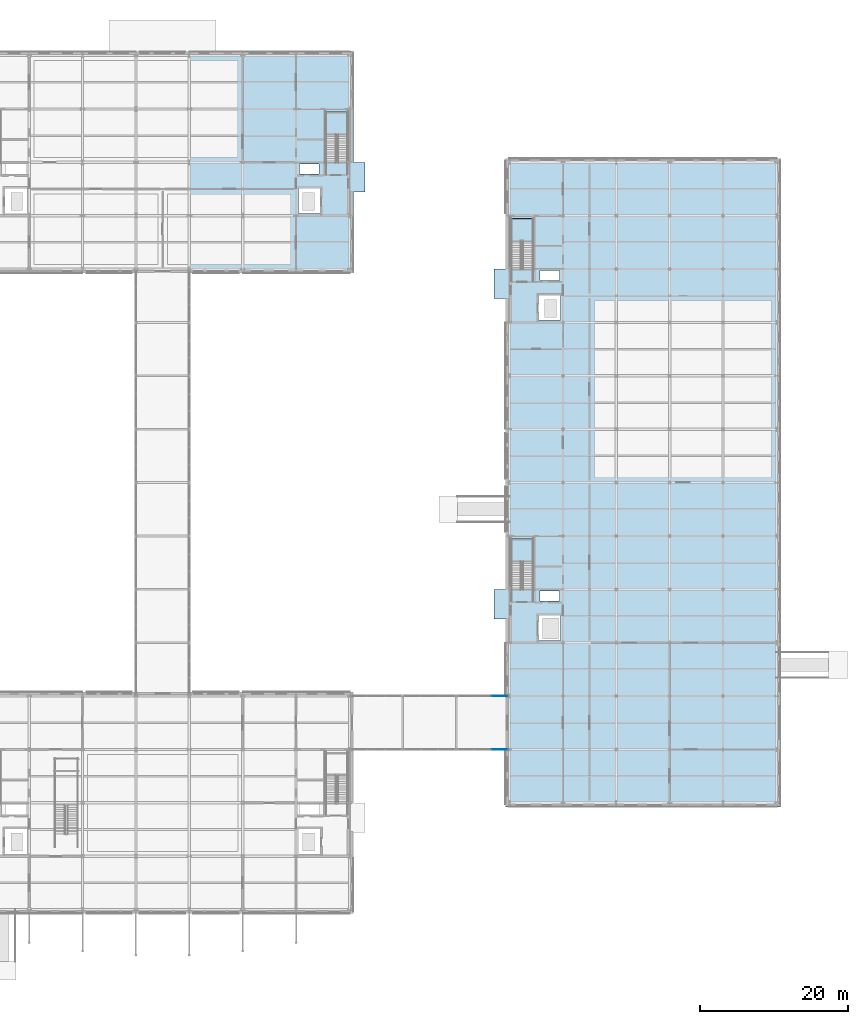
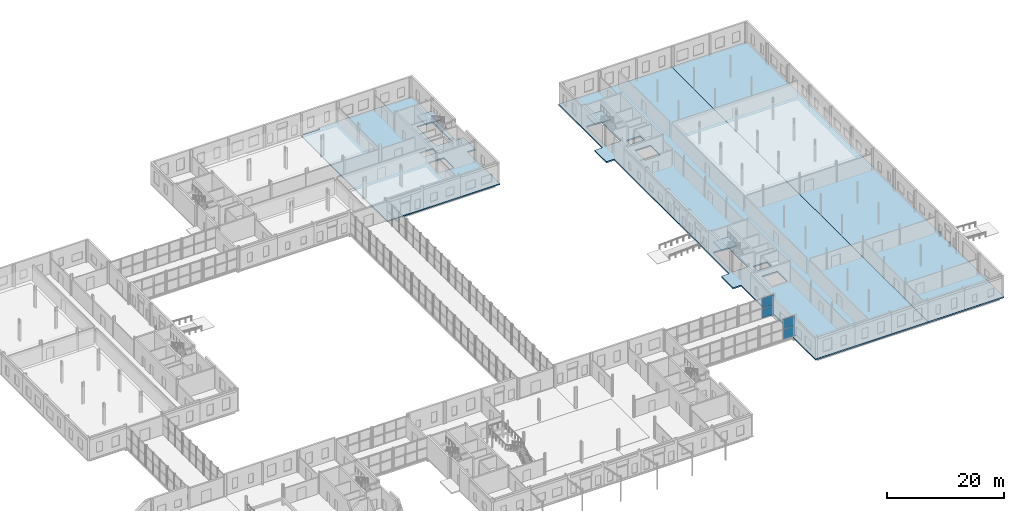
# One storey, part 47 of 92: 6 slabs, 4 plates, 5 elements without a shape of their own.
"""IFC4 building model written with IfcOpenShell, lengths in metres."""

from ifc_helpers import new_model, si_unit, direction, frame, origin, origin_2d, place, context, subcontext, project, spatial, polyline, rectangle, outline, extrude, material, layer, layer_set, type_object, element, aggregate, save


model = new_model("IFC4")

# Units and contexts
model_context = context("Model", 3, precision=1e-05, world=origin(), true_north=direction((0.0, 1.0)))
body_context = subcontext(model_context, "Body", "Model", "MODEL_VIEW")
ifc_project = project(units=[si_unit("LENGTHUNIT", "METRE"), si_unit("AREAUNIT", "SQUARE_METRE"), si_unit("VOLUMEUNIT", "CUBIC_METRE"), si_unit("PLANEANGLEUNIT", "RADIAN"), si_unit("MASSUNIT", "GRAM", prefix="KILO")], contexts=[model_context])

# Site, building, storey
site_placement = place(None, origin())
site = spatial("IfcSite", under=ifc_project, at=site_placement, CompositionType="ELEMENT")
building_placement = place(site_placement, origin())
building = spatial("IfcBuilding", under=site, at=building_placement, Name="Zlatovets Crest Museum", CompositionType="ELEMENT")
storey_placement = place(building_placement, origin())
storey = spatial("IfcBuildingStorey", under=building, at=storey_placement, Name="L00", CompositionType="ELEMENT", Elevation=0.0)

# Curtain wall, plates
ifc_material_1 = material(Name="Bronze-anodised aluminium and low-E triple glass", Category="aluminium")
curtain_wall_type = type_object("IfcCurtainWallType", Name="CW_CW-BR4-L00-S69", PredefinedType="NOTDEFINED", material=ifc_material_1)
curtain_wall_1_placement = place(storey_placement, origin())
curtain_wall_1 = element("IfcCurtainWall", 1, at=curtain_wall_1_placement, inside=storey, type_object=curtain_wall_type, Name="Southeast Archive Glazed Link Bridge L00 Glazed Bridge Curtain Wall", PredefinedType="NOTDEFINED")
ifc_material_2 = material(Name="Solar-control low-E laminated triple glass", Category="glass")
ifc_layer_1 = layer(ifc_material_2, 0.030029296875)
ifc_layer_set_1 = layer_set([ifc_layer_1], Name="Solar-control low-E laminated triple glass")
plate_type = type_object("IfcPlateType", Name="CWPanel_CW-BR4-L00-S69", PredefinedType="CURTAIN_PANEL", material=ifc_layer_set_1)
plate_1_placement = place(storey_placement, frame((128.284912109375, 21.60009765625, 0.06005859375), z_axis=(0.0, 0.0, 1.0), x_axis=(1.0, 0.0, 0.0)))
plate_1 = element("IfcPlate", 2, at=plate_1_placement, type_object=plate_type, Name="CW-BR4-L00-S69 panel 3.1", PredefinedType="CURTAIN_PANEL", context=body_context, shape_type="SweptSolid", body=[
    extrude(rectangle(XDim=2.2099609375, YDim=0.030029296875, at=origin_2d()), origin(), (0.0, 0.0, 1.0), 2.050048828125),
])
plate_2_placement = place(storey_placement, frame((128.284912109375, 21.60009765625, 2.169921875), z_axis=(0.0, 0.0, 1.0), x_axis=(1.0, 0.0, 0.0)))
plate_2 = element("IfcPlate", 3, at=plate_2_placement, type_object=plate_type, Name="CW-BR4-L00-S69 panel 3.2", PredefinedType="CURTAIN_PANEL", context=body_context, shape_type="SweptSolid", body=[
    extrude(rectangle(XDim=2.2099609375, YDim=0.030029296875, at=origin_2d()), origin(), (0.0, 0.0, 1.0), 2.050048828125),
])
aggregate(curtain_wall_1, [plate_1, plate_2])

curtain_wall_2_placement = place(storey_placement, origin())
curtain_wall_2 = element("IfcCurtainWall", 4, at=curtain_wall_2_placement, inside=storey, type_object=curtain_wall_type, Name="Southeast Archive Glazed Link Bridge L00 Glazed Bridge Curtain Wall", PredefinedType="NOTDEFINED")
plate_3_placement = place(storey_placement, frame((128.284912109375, 28.800048828125, 0.06005859375), z_axis=(0.0, 0.0, 1.0), x_axis=(1.0, 0.0, 0.0)))
plate_3 = element("IfcPlate", 5, at=plate_3_placement, type_object=plate_type, Name="CW-BR4-L00-S69 panel 3.1", PredefinedType="CURTAIN_PANEL", context=body_context, shape_type="SweptSolid", body=[
    extrude(rectangle(XDim=2.2099609375, YDim=0.030029296875, at=origin_2d()), origin(), (0.0, 0.0, 1.0), 2.050048828125),
])
plate_4_placement = place(storey_placement, frame((128.284912109375, 28.800048828125, 2.169921875), z_axis=(0.0, 0.0, 1.0), x_axis=(1.0, 0.0, 0.0)))
plate_4 = element("IfcPlate", 6, at=plate_4_placement, type_object=plate_type, Name="CW-BR4-L00-S69 panel 3.2", PredefinedType="CURTAIN_PANEL", context=body_context, shape_type="SweptSolid", body=[
    extrude(rectangle(XDim=2.2099609375, YDim=0.030029296875, at=origin_2d()), origin(), (0.0, 0.0, 1.0), 2.050048828125),
])
aggregate(curtain_wall_2, [plate_3, plate_4])

# Slabs
ifc_material_3 = material(Name="Concrete C30/37", Category="concrete")
ifc_layer_2 = layer(ifc_material_3, 0.25)
ifc_layer_set_2 = layer_set([ifc_layer_2], Name="Concrete C30/37")
slab_type_1 = type_object("IfcSlabType", Name="Slab_FS-01", PredefinedType="FLOOR", material=ifc_layer_set_2)
slab_1_placement = place(storey_placement, frame((0.0, 0.0, -0.25)))
element("IfcSlab", 7, at=slab_1_placement, inside=storey, type_object=slab_type_1, Name="V1 L00 Structural Slab Panel 2", PredefinedType="FLOOR", context=body_context, shape_type="SweptSolid", body=[
    extrude(outline(polyline([(108.5400390625, 96.800048828125), (108.5400390625, 85.860107421875), (86.419921875, 85.860107421875), (86.419921875, 86.419921875), (86.39990234375, 86.419921875), (86.39990234375, 115.179931640625), (90.02001953125, 115.179931640625), (90.02001953125, 115.739990234375), (108.5400390625, 115.739990234375), (108.5400390625, 100.800048828125), (110.10009765625, 100.800048828125), (110.10009765625, 96.800048828125), (108.5400390625, 96.800048828125)]), holes=[polyline([(107.800048828125, 107.60009765625), (104.800048828125, 107.60009765625), (104.800048828125, 100.93994140625), (107.800048828125, 100.93994140625), (107.800048828125, 107.60009765625)]), polyline([(101.10009765625, 97.300048828125), (101.10009765625, 93.89990234375), (104.14990234375, 93.89990234375), (104.14990234375, 97.300048828125), (101.10009765625, 97.300048828125)]), polyline([(103.89990234375, 100.60009765625), (101.25, 100.60009765625), (101.25, 99.25), (103.89990234375, 99.25), (103.89990234375, 100.60009765625)])]), origin(), (0.0, 0.0, 1.0), 0.25),
])
ifc_layer_3 = layer(ifc_material_3, 0.280029296875)
ifc_layer_set_3 = layer_set([ifc_layer_3], Name="Concrete C30/37")
slab_type_2 = type_object("IfcSlabType", Name="Slab_FS-04", PredefinedType="FLOOR", material=ifc_layer_set_3)
slab_2_placement = place(storey_placement, frame((0.0, 0.0, -0.280029296875)))
element("IfcSlab", 8, at=slab_2_placement, inside=storey, type_object=slab_type_2, Name="V5 L00 Structural Slab Panel 1", PredefinedType="FLOOR", context=body_context, shape_type="SweptSolid", body=[
    extrude(outline(polyline([(129.6201171875, 28.820068359375), (129.06005859375, 28.820068359375), (129.06005859375, 39.199951171875), (127.5, 39.199951171875), (127.5, 43.199951171875), (129.06005859375, 43.199951171875), (129.06005859375, 82.39990234375), (127.5, 82.39990234375), (127.5, 86.39990234375), (129.06005859375, 86.39990234375), (129.06005859375, 101.340087890625), (151.199951171875, 101.340087890625), (151.199951171875, 13.860107421875), (129.06005859375, 13.860107421875), (129.06005859375, 21.580078125), (129.6201171875, 21.580078125), (129.6201171875, 28.820068359375)]), holes=[polyline([(129.800048828125, 50.0), (129.800048828125, 43.340087890625), (132.800048828125, 43.340087890625), (132.800048828125, 50.0), (129.800048828125, 50.0)]), polyline([(132.800048828125, 93.199951171875), (129.800048828125, 93.199951171875), (129.800048828125, 86.5400390625), (132.800048828125, 86.5400390625), (132.800048828125, 93.199951171875)]), polyline([(136.5, 36.300048828125), (136.5, 39.699951171875), (133.449951171875, 39.699951171875), (133.449951171875, 36.300048828125), (136.5, 36.300048828125)]), polyline([(133.699951171875, 41.64990234375), (136.35009765625, 41.64990234375), (136.35009765625, 43.0), (133.699951171875, 43.0), (133.699951171875, 41.64990234375)]), polyline([(133.449951171875, 82.89990234375), (133.449951171875, 79.5), (136.5, 79.5), (136.5, 82.89990234375), (133.449951171875, 82.89990234375)]), polyline([(136.35009765625, 86.199951171875), (133.699951171875, 86.199951171875), (133.699951171875, 84.85009765625), (136.35009765625, 84.85009765625), (136.35009765625, 86.199951171875)])]), origin(), (0.0, 0.0, 1.0), 0.280029296875),
])
slab_3_placement = place(storey_placement, frame((0.0, 0.0, -0.280029296875)))
element("IfcSlab", 9, at=slab_3_placement, inside=storey, type_object=slab_type_2, Name="V5 L00 Structural Slab Panel 2", PredefinedType="FLOOR", context=body_context, shape_type="SweptSolid", body=[
    extrude(outline(polyline([(151.199951171875, 13.860107421875), (151.199951171875, 101.340087890625), (166.139892578125, 101.340087890625), (166.139892578125, 13.860107421875), (151.199951171875, 13.860107421875)])), origin(), (0.0, 0.0, 1.0), 0.280029296875),
])

# Stair, slab
ifc_material_4 = material(Name="Concrete C35/45", Category="concrete")
stair_type_1 = type_object("IfcStairType", Name="Stair_ST5-28R", PredefinedType="HALF_TURN_STAIR", material=ifc_material_4)
stair_1_placement = place(storey_placement, origin())
stair_1 = element("IfcStair", 10, at=stair_1_placement, inside=storey, type_object=stair_type_1, Name="L00 Core C5 Escape Stair ST5", PredefinedType="HALF_TURN_STAIR")
ifc_layer_4 = layer(ifc_material_4, 0.199951171875)
ifc_layer_set_4 = layer_set([ifc_layer_4], Name="Concrete C35/45")
slab_type_3 = type_object("IfcSlabType", Name="StairLanding_SLD1", PredefinedType="LANDING", material=ifc_layer_set_4)
slab_4_placement = place(storey_placement, frame((0.0, 0.0, 2.050048828125)))
slab_4 = element("IfcSlab", 11, at=slab_4_placement, type_object=slab_type_3, Name="ST5 landing 1", PredefinedType="LANDING", context=body_context, shape_type="SweptSolid", body=[
    extrude(outline(polyline([(132.800048828125, 47.0), (132.800048828125, 50.0), (129.800048828125, 50.0), (129.800048828125, 47.0), (132.800048828125, 47.0)])), origin(), (0.0, 0.0, 1.0), 0.199951171875),
])
aggregate(stair_1, [slab_4])

stair_type_2 = type_object("IfcStairType", Name="Stair_ST7-28R", PredefinedType="HALF_TURN_STAIR", material=ifc_material_4)
stair_2_placement = place(storey_placement, origin())
stair_2 = element("IfcStair", 12, at=stair_2_placement, inside=storey, type_object=stair_type_2, Name="L00 Core C6 Escape Stair ST7", PredefinedType="HALF_TURN_STAIR")
slab_5_placement = place(storey_placement, frame((0.0, 0.0, 2.050048828125)))
slab_5 = element("IfcSlab", 13, at=slab_5_placement, type_object=slab_type_3, Name="ST7 landing 1", PredefinedType="LANDING", context=body_context, shape_type="SweptSolid", body=[
    extrude(outline(polyline([(107.800048828125, 104.60009765625), (107.800048828125, 107.60009765625), (104.800048828125, 107.60009765625), (104.800048828125, 104.60009765625), (107.800048828125, 104.60009765625)])), origin(), (0.0, 0.0, 1.0), 0.199951171875),
])
aggregate(stair_2, [slab_5])

stair_type_3 = type_object("IfcStairType", Name="Stair_ST8-28R", PredefinedType="HALF_TURN_STAIR", material=ifc_material_4)
stair_3_placement = place(storey_placement, origin())
stair_3 = element("IfcStair", 14, at=stair_3_placement, inside=storey, type_object=stair_type_3, Name="L00 Core C7 Escape Stair ST8", PredefinedType="HALF_TURN_STAIR")
slab_6_placement = place(storey_placement, frame((0.0, 0.0, 2.050048828125)))
slab_6 = element("IfcSlab", 15, at=slab_6_placement, type_object=slab_type_3, Name="ST8 landing 1", PredefinedType="LANDING", context=body_context, shape_type="SweptSolid", body=[
    extrude(outline(polyline([(132.800048828125, 90.199951171875), (132.800048828125, 93.199951171875), (129.800048828125, 93.199951171875), (129.800048828125, 90.199951171875), (132.800048828125, 90.199951171875)])), origin(), (0.0, 0.0, 1.0), 0.199951171875),
])
aggregate(stair_3, [slab_6])

save(model, "model.ifc")
